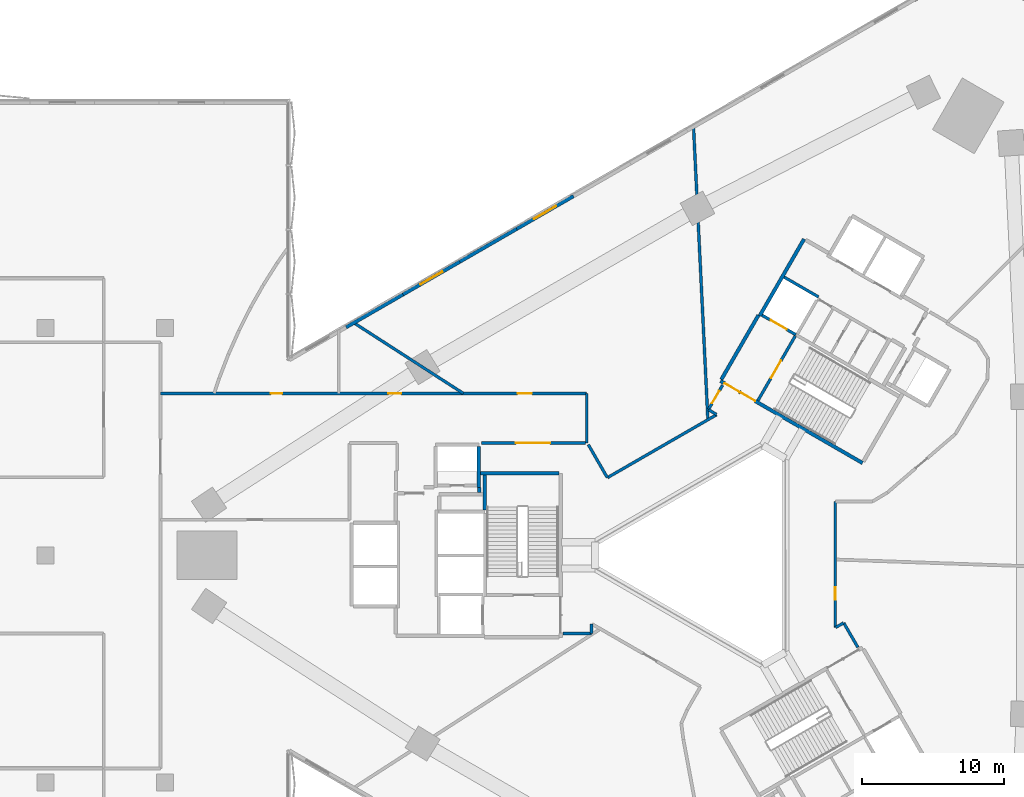
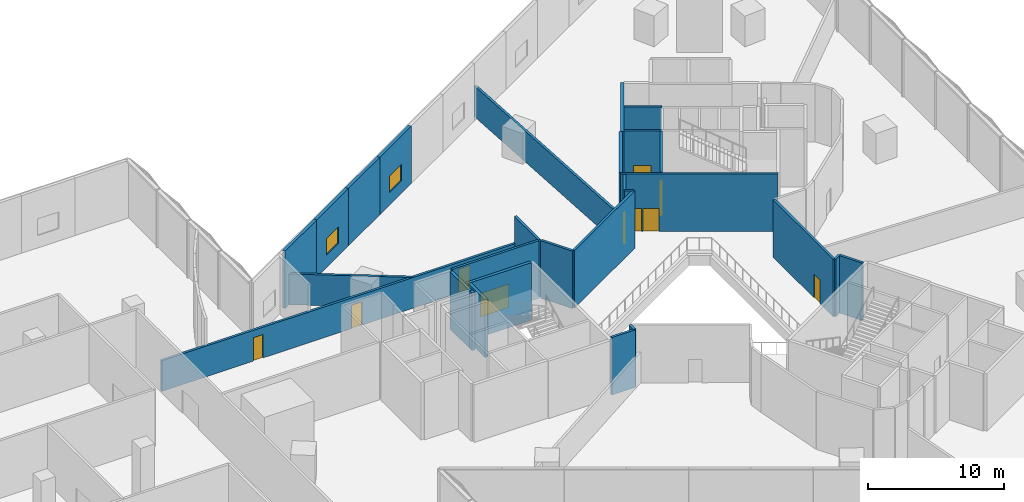
# One storey, part 16 of 31: 28 walls, 10 doors, 2 windows, 12 openings.
"""IFC4 building model written with IfcOpenShell, lengths in metres."""

from ifc_helpers import new_model, si_unit, direction, frame, frame_2d, origin, place, context, subcontext, project, spatial, rectangle, extrude, material, layer, layer_set, type_object, element, fill, save


model = new_model("IFC4")

# Units and contexts
model_context = context("Model", 3, precision=1e-05, world=origin(), true_north=direction((0.0, 1.0)))
body_context = subcontext(model_context, "Body", "Model", "MODEL_VIEW")
ifc_project = project(units=[si_unit("LENGTHUNIT", "METRE"), si_unit("AREAUNIT", "SQUARE_METRE"), si_unit("VOLUMEUNIT", "CUBIC_METRE"), si_unit("PLANEANGLEUNIT", "RADIAN"), si_unit("MASSUNIT", "GRAM", prefix="KILO")], contexts=[model_context])

# Site, building, storey
site_placement = place(None, origin())
site = spatial("IfcSite", under=ifc_project, at=site_placement, CompositionType="ELEMENT")
building_placement = place(site_placement, origin())
building = spatial("IfcBuilding", under=site, at=building_placement, Name="Tamra Quay Hotel Tower", CompositionType="ELEMENT")
storey_placement = place(building_placement, frame((0.0, 0.0, 14.0)))
storey = spatial("IfcBuildingStorey", under=building, at=storey_placement, Name="L02", CompositionType="ELEMENT", Elevation=14.0)

# Wall, opening, door
ifc_material_1 = material(Name="Concrete M70", Category="concrete")
ifc_layer_1 = layer(ifc_material_1, 0.199951171875)
ifc_layer_set_1 = layer_set([ifc_layer_1], Name="Concrete M70 core wall 200")
wall_type_1 = type_object("IfcWallType", Name="Concrete M70 core wall 200", PredefinedType="SHEAR", material=ifc_layer_set_1)
wall_1_placement = place(storey_placement, frame((3.056640625, 10.89453125, 0.0), z_axis=(0.0, 0.0, 1.0), x_axis=(0.499989418164, 0.866031513124, 0.0)))
wall_1 = element("IfcWall", 1, at=wall_1_placement, inside=storey, type_object=wall_type_1, Name="CW2", PredefinedType="SHEAR", context=body_context, shape_type="SweptSolid", body=[
    extrude(rectangle(XDim=5.2509765625, YDim=0.199951171875, at=frame_2d((2.62548828125, 0.0))), origin(), (0.0, 0.0, 1.0), 5.14990234375),
])
opening_1_placement = place(wall_1_placement, frame((1.84912109375, 0.0, 0.0)))
opening_1 = element("IfcOpeningElement", 2, at=opening_1_placement, cuts=wall_1, Name="Opening FD2", PredefinedType="OPENING", context=body_context, shape_type="SweptSolid", body=[
    extrude(rectangle(XDim=1.39990234375, YDim=2.10009765625, at=frame_2d((0.699951171875, 1.050048828125))), frame((0.0, 0.10986328125, 0.0), z_axis=(0.0, -1.0, 0.0), x_axis=(1.0, 0.0, 0.0)), (0.0, 0.0, 1.0), 0.219970703125),
])
ifc_material_2 = material(Name="Core door FD2 1400x2100 LH")
door_type_1 = type_object("IfcDoorType", Name="Core door FD2 1400x2100 LH", OperationType="NOTDEFINED", PredefinedType="DOOR", material=ifc_material_2)
door_1_placement = place(opening_1_placement, origin())
door_1 = element("IfcDoor", 3, at=door_1_placement, inside=storey, type_object=door_type_1, Name="FD2", OperationType="SINGLE_SWING_LEFT", OverallHeight=2.10009765625, OverallWidth=1.39990234375, PredefinedType="DOOR", context=body_context, shape_type="SweptSolid", body=[
    extrude(rectangle(XDim=1.39990234375, YDim=2.10009765625, at=frame_2d((0.699951171875, 1.050048828125))), frame((0.0, 0.02490234375, 0.0), z_axis=(0.0, -1.0, 0.0), x_axis=(1.0, 0.0, 0.0)), (0.0, 0.0, 1.0), 0.050048828125),
])
fill(opening_1, door_1)

wall_2_placement = place(storey_placement, frame((5.72509765625, 15.530517578125, 0.0), z_axis=(0.0, 0.0, 1.0), x_axis=(-0.866037306777, 0.499979382845, 0.0)))
wall_2 = element("IfcWall", 4, at=wall_2_placement, inside=storey, type_object=wall_type_1, Name="CW2", PredefinedType="SHEAR", context=body_context, shape_type="SweptSolid", body=[
    extrude(rectangle(XDim=2.74169921875, YDim=0.199951171875, at=frame_2d((1.370849609375, 0.0))), origin(), (0.0, 0.0, 1.0), 5.14990234375),
])
opening_2_placement = place(wall_2_placement, frame((0.742919921875, 0.0, 0.0)))
opening_2 = element("IfcOpeningElement", 5, at=opening_2_placement, cuts=wall_2, Name="Opening LD", PredefinedType="OPENING", context=body_context, shape_type="SweptSolid", body=[
    extrude(rectangle(XDim=1.300048828125, YDim=2.10009765625, at=frame_2d((0.64990234375, 1.050048828125))), frame((0.0, 0.10986328125, 0.0), z_axis=(0.0, -1.0, 0.0), x_axis=(1.0, 0.0, 0.0)), (0.0, 0.0, 1.0), 0.219970703125),
])
ifc_material_3 = material(Name="Landing door LD 1300 sliding to left")
door_type_2 = type_object("IfcDoorType", Name="Landing door LD 1300 sliding to left", OperationType="NOTDEFINED", PredefinedType="DOOR", material=ifc_material_3)
door_2_placement = place(opening_2_placement, origin())
door_2 = element("IfcDoor", 6, at=door_2_placement, inside=storey, type_object=door_type_2, Name="LD", OperationType="SLIDING_TO_LEFT", OverallHeight=2.10009765625, OverallWidth=1.300048828125, PredefinedType="DOOR", context=body_context, shape_type="SweptSolid", body=[
    extrude(rectangle(XDim=1.300048828125, YDim=2.10009765625, at=frame_2d((0.64990234375, 1.050048828125))), frame((0.0, 0.02490234375, 0.0), z_axis=(0.0, -1.0, 0.0), x_axis=(1.0, 0.0, 0.0)), (0.0, 0.0, 1.0), 0.050048828125),
])
fill(opening_2, door_2)

# Walls
wall_3_placement = place(storey_placement, frame((4.900634765625, 19.5859375, 0.0), z_axis=(0.0, 0.0, 1.0), x_axis=(0.866022890907, -0.500004352405, 0.0)))
element("IfcWall", 7, at=wall_3_placement, inside=storey, type_object=wall_type_1, Name="CW2", PredefinedType="SHEAR", context=body_context, shape_type="SweptSolid", body=[
    extrude(rectangle(XDim=2.798828125, YDim=0.199951171875, at=frame_2d((1.3994140625, 0.0))), origin(), (0.0, 0.0, 1.0), 5.14990234375),
])
ifc_layer_2 = layer(ifc_material_1, 0.25)
ifc_layer_set_2 = layer_set([ifc_layer_2], Name="Concrete M70 core wall 250")
wall_type_2 = type_object("IfcWallType", Name="Concrete M70 core wall 250", PredefinedType="SHEAR", material=ifc_layer_set_2)
wall_4_placement = place(storey_placement, frame((-16.47216796875, 5.77490234375, 0.0), z_axis=(0.0, 0.0, 1.0), x_axis=(1.0, 0.0, 0.0)))
element("IfcWall", 8, at=wall_4_placement, inside=storey, type_object=wall_type_2, Name="CW1", PredefinedType="SHEAR", context=body_context, shape_type="SweptSolid", body=[
    extrude(rectangle(XDim=5.509521484375, YDim=0.25, at=frame_2d((2.7548828125, 0.0))), origin(), (0.0, 0.0, 1.0), 5.14990234375),
])
wall_5_placement = place(storey_placement, frame((-16.58740234375, 7.649658203125, 0.0), z_axis=(0.0, 0.0, 1.0), x_axis=(0.0, -1.0, 0.0)))
element("IfcWall", 9, at=wall_5_placement, inside=storey, type_object=wall_type_2, Name="CW1", PredefinedType="SHEAR", context=body_context, shape_type="SweptSolid", body=[
    extrude(rectangle(XDim=2.86474609375, YDim=0.25, at=frame_2d((1.432373046875, 0.0))), origin(), (0.0, 0.0, 1.0), 5.14990234375),
])
wall_6_placement = place(storey_placement, frame((-16.187255859375, 3.200439453125, 0.0), z_axis=(0.0, 0.0, 1.0), x_axis=(0.0, 1.0, 0.0)))
element("IfcWall", 10, at=wall_6_placement, inside=storey, type_object=wall_type_2, Name="CW1", PredefinedType="SHEAR", context=body_context, shape_type="SweptSolid", body=[
    extrude(rectangle(XDim=2.44921875, YDim=0.25, at=frame_2d((1.224609375, 0.0))), origin(), (0.0, 0.0, 1.0), 5.14990234375),
])
wall_7_placement = place(storey_placement, frame((-16.577392578125, 4.784912109375, 0.0), z_axis=(0.0, 0.0, 1.0), x_axis=(0.0, -1.0, 0.0)))
element("IfcWall", 11, at=wall_7_placement, inside=storey, type_object=wall_type_2, Name="CW1", PredefinedType="SHEAR", context=body_context, shape_type="SweptSolid", body=[
    extrude(rectangle(XDim=0.344482421875, YDim=0.25, at=frame_2d((0.17236328125, 0.0))), origin(), (0.0, 0.0, 1.0), 5.14990234375),
])

# Wall, openings, doors
wall_8_placement = place(storey_placement, frame((10.419921875, 6.497802734375, 0.0), z_axis=(0.0, 0.0, 1.0), x_axis=(-0.866021906294, 0.500006057782, 0.0)))
wall_8 = element("IfcWall", 12, at=wall_8_placement, inside=storey, type_object=wall_type_2, Name="CW1", PredefinedType="SHEAR", context=body_context, shape_type="SweptSolid", body=[
    extrude(rectangle(XDim=11.550048828125, YDim=0.25, at=frame_2d((5.77490234375, 0.0))), origin(), (0.0, 0.0, 1.0), 5.14990234375),
])
opening_3_placement = place(wall_8_placement, frame((10.02490234375, 0.0, 0.0)))
opening_3 = element("IfcOpeningElement", 13, at=opening_3_placement, cuts=wall_8, Name="Opening FD1", PredefinedType="OPENING", context=body_context, shape_type="SweptSolid", body=[
    extrude(rectangle(XDim=1.199951171875, YDim=2.10009765625, at=frame_2d((0.60009765625, 1.050048828125))), frame((0.0, 0.135009765625, 0.0), z_axis=(0.0, -1.0, 0.0), x_axis=(1.0, 0.0, 0.0)), (0.0, 0.0, 1.0), 0.27001953125),
])
opening_4_placement = place(wall_8_placement, frame((8.724853515625, 0.0, 0.0)))
opening_4 = element("IfcOpeningElement", 14, at=opening_4_placement, cuts=wall_8, Name="Opening FD1", PredefinedType="OPENING", context=body_context, shape_type="SweptSolid", body=[
    extrude(rectangle(XDim=1.199951171875, YDim=2.10009765625, at=frame_2d((0.60009765625, 1.050048828125))), frame((0.0, 0.135009765625, 0.0), z_axis=(0.0, -1.0, 0.0), x_axis=(1.0, 0.0, 0.0)), (0.0, 0.0, 1.0), 0.27001953125),
])
ifc_material_4 = material(Name="Core door FD1 1200x2100 LH")
door_type_3 = type_object("IfcDoorType", Name="Core door FD1 1200x2100 LH", OperationType="NOTDEFINED", PredefinedType="DOOR", material=ifc_material_4)
door_3_placement = place(opening_3_placement, origin())
door_3 = element("IfcDoor", 15, at=door_3_placement, inside=storey, type_object=door_type_3, Name="FD1", OperationType="SINGLE_SWING_LEFT", OverallHeight=2.10009765625, OverallWidth=1.199951171875, PredefinedType="DOOR", context=body_context, shape_type="SweptSolid", body=[
    extrude(rectangle(XDim=1.199951171875, YDim=2.10009765625, at=frame_2d((0.60009765625, 1.050048828125))), frame((0.0, 0.02490234375, 0.0), z_axis=(0.0, -1.0, 0.0), x_axis=(1.0, 0.0, 0.0)), (0.0, 0.0, 1.0), 0.050048828125),
])
fill(opening_3, door_3)
ifc_material_5 = material(Name="Core door FD1 1200x2100 RH")
door_type_4 = type_object("IfcDoorType", Name="Core door FD1 1200x2100 RH", OperationType="NOTDEFINED", PredefinedType="DOOR", material=ifc_material_5)
door_4_placement = place(opening_4_placement, origin())
door_4 = element("IfcDoor", 16, at=door_4_placement, inside=storey, type_object=door_type_4, Name="FD1", OperationType="SINGLE_SWING_RIGHT", OverallHeight=2.10009765625, OverallWidth=1.199951171875, PredefinedType="DOOR", context=body_context, shape_type="SweptSolid", body=[
    extrude(rectangle(XDim=1.199951171875, YDim=2.10009765625, at=frame_2d((0.60009765625, 1.050048828125))), frame((0.0, 0.02490234375, 0.0), z_axis=(0.0, -1.0, 0.0), x_axis=(1.0, 0.0, 0.0)), (0.0, 0.0, 1.0), 0.050048828125),
])
fill(opening_4, door_4)

# Walls
wall_9_placement = place(storey_placement, frame((3.178955078125, 16.856201171875, 0.0), z_axis=(0.0, 0.0, 1.0), x_axis=(0.500004234368, 0.866022959057, 0.0)))
element("IfcWall", 17, at=wall_9_placement, inside=storey, type_object=wall_type_2, Name="CW1", PredefinedType="SHEAR", context=body_context, shape_type="SweptSolid", body=[
    extrude(rectangle(XDim=6.25, YDim=0.25, at=frame_2d((3.125, 0.0))), origin(), (0.0, 0.0, 1.0), 5.14990234375),
])
wall_10_placement = place(storey_placement, frame((0.47998046875, 12.38134765625, 0.0), z_axis=(0.0, 0.0, 1.0), x_axis=(0.49999885962, 0.866026062182, 0.0)))
element("IfcWall", 18, at=wall_10_placement, inside=storey, type_object=wall_type_2, Name="CW1", PredefinedType="SHEAR", context=body_context, shape_type="SweptSolid", body=[
    extrude(rectangle(XDim=5.224609375, YDim=0.25, at=frame_2d((2.6123046875, 0.0))), origin(), (0.0, 0.0, 1.0), 5.14990234375),
])

# Wall, opening, window
ifc_material_6 = material(Name="Blockwork masonry plastered", Category="masonry")
ifc_layer_3 = layer(ifc_material_6, 0.25)
ifc_layer_set_3 = layer_set([ifc_layer_3], Name="EXTERNAL WALL 250")
wall_type_3 = type_object("IfcWallType", Name="EXTERNAL WALL 250", PredefinedType="SOLIDWALL", material=ifc_layer_set_3)
wall_11_placement = place(storey_placement, frame((-13.930419921875, 22.981689453125, 0.0), z_axis=(0.0, 0.0, 1.0), x_axis=(0.866216377649, 0.499669077583, 0.0)))
wall_11 = element("IfcWall", 19, at=wall_11_placement, inside=storey, type_object=wall_type_3, Name="EW1", PredefinedType="SOLIDWALL", context=body_context, shape_type="SweptSolid", body=[
    extrude(rectangle(XDim=4.619873046875, YDim=0.25, at=frame_2d((2.31005859375, 0.0))), origin(), (0.0, 0.0, 1.0), 5.14990234375),
])
opening_5_placement = place(wall_11_placement, frame((1.409912109375, 0.0, 1.10009765625)))
opening_5 = element("IfcOpeningElement", 20, at=opening_5_placement, cuts=wall_11, Name="Opening PW2", PredefinedType="OPENING", context=body_context, shape_type="SweptSolid", body=[
    extrude(rectangle(XDim=1.800048828125, YDim=1.5, at=frame_2d((0.89990234375, 0.75))), frame((0.0, 0.135009765625, 0.0), z_axis=(0.0, -1.0, 0.0), x_axis=(1.0, 0.0, 0.0)), (0.0, 0.0, 1.0), 0.27001953125),
])
ifc_material_7 = material(Name="Aluminium window with clear glass", Category="aluminium")
window_type = type_object("IfcWindowType", Name="PODIUM WINDOW 1800X1500", PartitioningType="DOUBLE_PANEL_VERTICAL", PredefinedType="WINDOW", material=ifc_material_7)
window_1_placement = place(opening_5_placement, origin())
window_1 = element("IfcWindow", 21, at=window_1_placement, inside=storey, type_object=window_type, Name="PW2", OverallHeight=1.5, OverallWidth=1.800048828125, PartitioningType="SINGLE_PANEL", PredefinedType="WINDOW", context=body_context, shape_type="SweptSolid", body=[
    extrude(rectangle(XDim=1.800048828125, YDim=1.5, at=frame_2d((0.89990234375, 0.75))), frame((0.0, 0.030029296875, 0.0), z_axis=(0.0, -1.0, 0.0), x_axis=(1.0, 0.0, 0.0)), (0.0, 0.0, 1.0), 0.06005859375),
])
fill(opening_5, window_1)

# Wall
wall_12_placement = place(storey_placement, frame((-17.93212890625, 20.67333984375, 0.0), z_axis=(0.0, 0.0, 1.0), x_axis=(0.866216377649, 0.499669077583, 0.0)))
element("IfcWall", 22, at=wall_12_placement, inside=storey, type_object=wall_type_3, Name="EW1", PredefinedType="SOLIDWALL", context=body_context, shape_type="SweptSolid", body=[
    extrude(rectangle(XDim=4.619873046875, YDim=0.25, at=frame_2d((2.31005859375, 0.0))), origin(), (0.0, 0.0, 1.0), 5.14990234375),
])

# Wall, opening, window
wall_13_placement = place(storey_placement, frame((-21.93408203125, 18.364990234375, 0.0), z_axis=(0.0, 0.0, 1.0), x_axis=(0.866229571029, 0.499646205105, 0.0)))
wall_13 = element("IfcWall", 23, at=wall_13_placement, inside=storey, type_object=wall_type_3, Name="EW1", PredefinedType="SOLIDWALL", context=body_context, shape_type="SweptSolid", body=[
    extrude(rectangle(XDim=4.619873046875, YDim=0.25, at=frame_2d((2.31005859375, 0.0))), origin(), (0.0, 0.0, 1.0), 5.14990234375),
])
opening_6_placement = place(wall_13_placement, frame((1.409912109375, 0.0, 1.10009765625)))
opening_6 = element("IfcOpeningElement", 24, at=opening_6_placement, cuts=wall_13, Name="Opening PW2", PredefinedType="OPENING", context=body_context, shape_type="SweptSolid", body=[
    extrude(rectangle(XDim=1.800048828125, YDim=1.5, at=frame_2d((0.89990234375, 0.75))), frame((0.0, 0.135009765625, 0.0), z_axis=(0.0, -1.0, 0.0), x_axis=(1.0, 0.0, 0.0)), (0.0, 0.0, 1.0), 0.27001953125),
])
window_2_placement = place(opening_6_placement, origin())
window_2 = element("IfcWindow", 25, at=window_2_placement, inside=storey, type_object=window_type, Name="PW2", OverallHeight=1.5, OverallWidth=1.800048828125, PartitioningType="SINGLE_PANEL", PredefinedType="WINDOW", context=body_context, shape_type="SweptSolid", body=[
    extrude(rectangle(XDim=1.800048828125, YDim=1.5, at=frame_2d((0.89990234375, 0.75))), frame((0.0, 0.030029296875, 0.0), z_axis=(0.0, -1.0, 0.0), x_axis=(1.0, 0.0, 0.0)), (0.0, 0.0, 1.0), 0.06005859375),
])
fill(opening_6, window_2)

# Wall
wall_14_placement = place(storey_placement, frame((-25.935791015625, 16.056640625, 0.0), z_axis=(0.0, 0.0, 1.0), x_axis=(0.866216377649, 0.499669077583, 0.0)))
element("IfcWall", 26, at=wall_14_placement, inside=storey, type_object=wall_type_3, Name="EW1", PredefinedType="SOLIDWALL", context=body_context, shape_type="SweptSolid", body=[
    extrude(rectangle(XDim=4.619873046875, YDim=0.25, at=frame_2d((2.31005859375, 0.0))), origin(), (0.0, 0.0, 1.0), 5.14990234375),
])

# Wall, opening, door
ifc_material_8 = material(Name="Partition corridor wall")
ifc_layer_4 = layer(ifc_material_8, 0.199951171875)
ifc_layer_set_4 = layer_set([ifc_layer_4], Name="Partition corridor wall")
wall_type_4 = type_object("IfcWallType", Name="Partition corridor wall", PredefinedType="PARTITIONING", material=ifc_layer_set_4)
wall_15_placement = place(storey_placement, frame((-16.40234375, 7.89990234375, 0.0), z_axis=(0.0, 0.0, 1.0), x_axis=(1.0, 0.0, 0.0)))
wall_15 = element("IfcWall", 27, at=wall_15_placement, inside=storey, type_object=wall_type_4, Name="W-C", PredefinedType="PARTITIONING", context=body_context, shape_type="SweptSolid", body=[
    extrude(rectangle(XDim=7.304443359375, YDim=0.199951171875, at=frame_2d((3.65234375, 0.0))), origin(), (0.0, 0.0, 1.0), 5.14990234375),
])
opening_7_placement = place(wall_15_placement, frame((2.42236328125, 0.0, 0.0)))
opening_7 = element("IfcOpeningElement", 28, at=opening_7_placement, cuts=wall_15, Name="Opening L02-D013", PredefinedType="OPENING", context=body_context, shape_type="SweptSolid", body=[
    extrude(rectangle(XDim=2.39990234375, YDim=2.10009765625, at=frame_2d((1.199951171875, 1.050048828125))), frame((0.0, 0.10986328125, 0.0), z_axis=(0.0, -1.0, 0.0), x_axis=(1.0, 0.0, 0.0)), (0.0, 0.0, 1.0), 0.219970703125),
])
ifc_material_9 = material(Name="Door double leaf 2400x2100")
door_type_5 = type_object("IfcDoorType", Name="Door double leaf 2400x2100", OperationType="DOUBLE_DOOR_SINGLE_SWING", PredefinedType="DOOR", material=ifc_material_9)
door_5_placement = place(opening_7_placement, frame((2.39990234375, 0.0, 0.0), z_axis=(0.0, 0.0, 1.0), x_axis=(-1.0, 0.0, 0.0)))
door_5 = element("IfcDoor", 29, at=door_5_placement, inside=storey, type_object=door_type_5, Name="L02-D013", OperationType="DOUBLE_DOOR_SINGLE_SWING", OverallHeight=2.10009765625, OverallWidth=2.39990234375, PredefinedType="DOOR", context=body_context, shape_type="SweptSolid", body=[
    extrude(rectangle(XDim=2.39990234375, YDim=2.10009765625, at=frame_2d((1.199951171875, 1.050048828125))), frame((0.0, 0.02490234375, 0.0), z_axis=(0.0, -1.0, 0.0), x_axis=(1.0, 0.0, 0.0)), (0.0, 0.0, 1.0), 0.050048828125),
])
fill(opening_7, door_5)

# Walls
wall_16_placement = place(storey_placement, frame((-10.65234375, -5.5, 0.0), z_axis=(0.0, 0.0, 1.0), x_axis=(1.0, 0.0, 0.0)))
element("IfcWall", 30, at=wall_16_placement, inside=storey, type_object=wall_type_4, Name="W-C", PredefinedType="PARTITIONING", context=body_context, shape_type="SweptSolid", body=[
    extrude(rectangle(XDim=1.9892578125, YDim=0.199951171875, at=frame_2d((0.99462890625, 0.0))), origin(), (0.0, 0.0, 1.0), 5.14990234375),
])
wall_17_placement = place(storey_placement, frame((-8.886962890625, 7.7958984375, 0.0), z_axis=(0.0, 0.0, 1.0), x_axis=(0.499310200174, -0.866423293779, 0.0)))
element("IfcWall", 31, at=wall_17_placement, inside=storey, type_object=wall_type_4, Name="W-C", PredefinedType="PARTITIONING", context=body_context, shape_type="SweptSolid", body=[
    extrude(rectangle(XDim=2.683349609375, YDim=0.199951171875, at=frame_2d((1.341796875, 0.0))), origin(), (0.0, 0.0, 1.0), 5.14990234375),
])
wall_18_placement = place(storey_placement, frame((-8.662109375, -5.4990234375, 0.0), z_axis=(0.0, 0.0, 1.0), x_axis=(0.0, 1.0, 0.0)))
element("IfcWall", 32, at=wall_18_placement, inside=storey, type_object=wall_type_4, Name="W-C", PredefinedType="PARTITIONING", context=body_context, shape_type="SweptSolid", body=[
    extrude(rectangle(XDim=0.6650390625, YDim=0.199951171875, at=frame_2d((0.33251953125, 0.0))), origin(), (0.0, 0.0, 1.0), 5.14990234375),
])
wall_19_placement = place(storey_placement, frame((-7.52978515625, 5.472900390625, 0.0), z_axis=(0.0, 0.0, 1.0), x_axis=(0.866256262405, 0.499599927786, 0.0)))
element("IfcWall", 33, at=wall_19_placement, inside=storey, type_object=wall_type_4, Name="W-C", PredefinedType="PARTITIONING", context=body_context, shape_type="SweptSolid", body=[
    extrude(rectangle(XDim=8.855224609375, YDim=0.199951171875, at=frame_2d((4.427734375, 0.0))), origin(), (0.0, 0.0, 1.0), 5.14990234375),
])

# Wall, opening, door
wall_20_placement = place(storey_placement, frame((-0.429931640625, 10.259033203125, 0.0), z_axis=(0.0, 0.0, 1.0), x_axis=(0.500667330647, 0.865639777288, 0.0)))
wall_20 = element("IfcWall", 34, at=wall_20_placement, inside=storey, type_object=wall_type_4, Name="W-C", PredefinedType="PARTITIONING", context=body_context, shape_type="SweptSolid", body=[
    extrude(rectangle(XDim=1.982666015625, YDim=0.199951171875, at=frame_2d((0.9912109375, 0.0))), origin(), (0.0, 0.0, 1.0), 5.14990234375),
])
opening_8_placement = place(wall_20_placement, frame((0.515380859375, 0.0, 0.0)))
opening_8 = element("IfcOpeningElement", 35, at=opening_8_placement, cuts=wall_20, Name="Opening L02-D015", PredefinedType="OPENING", context=body_context, shape_type="SweptSolid", body=[
    extrude(rectangle(XDim=1.0, YDim=2.10009765625, at=frame_2d((0.5, 1.050048828125))), frame((0.0, 0.10986328125, 0.0), z_axis=(0.0, -1.0, 0.0), x_axis=(1.0, 0.0, 0.0)), (0.0, 0.0, 1.0), 0.219970703125),
])
ifc_material_10 = material(Name="Door guest room 1000x2100")
door_type_6 = type_object("IfcDoorType", Name="Door guest room 1000x2100", OperationType="NOTDEFINED", PredefinedType="DOOR", material=ifc_material_10)
door_6_placement = place(opening_8_placement, frame((1.0, 0.0, 0.0), z_axis=(0.0, 0.0, 1.0), x_axis=(-1.0, 0.0, 0.0)))
door_6 = element("IfcDoor", 36, at=door_6_placement, inside=storey, type_object=door_type_6, Name="L02-D015", OperationType="SINGLE_SWING_LEFT", OverallHeight=2.10009765625, OverallWidth=1.0, PredefinedType="DOOR", context=body_context, shape_type="SweptSolid", body=[
    extrude(rectangle(XDim=1.0, YDim=2.10009765625, at=frame_2d((0.5, 1.050048828125))), frame((0.0, 0.02490234375, 0.0), z_axis=(0.0, -1.0, 0.0), x_axis=(1.0, 0.0, 0.0)), (0.0, 0.0, 1.0), 0.050048828125),
])
fill(opening_8, door_6)

# Wall
wall_21_placement = place(storey_placement, frame((-0.424072265625, 10.24609375, 0.0), z_axis=(0.0, 0.0, 1.0), x_axis=(0.866360968405, -0.499418334089, 0.0)))
element("IfcWall", 37, at=wall_21_placement, inside=storey, type_object=wall_type_4, Name="W-C", PredefinedType="PARTITIONING", context=body_context, shape_type="SweptSolid", body=[
    extrude(rectangle(XDim=0.648681640625, YDim=0.199951171875, at=frame_2d((0.32421875, 0.0))), origin(), (0.0, 0.0, 1.0), 5.14990234375),
])

# Wall, opening, door
wall_22_placement = place(storey_placement, frame((8.5, -5.074951171875, 0.0), z_axis=(0.0, 0.0, 1.0), x_axis=(0.0, 1.0, 0.0)))
wall_22 = element("IfcWall", 38, at=wall_22_placement, inside=storey, type_object=wall_type_4, Name="W-C", PredefinedType="PARTITIONING", context=body_context, shape_type="SweptSolid", body=[
    extrude(rectangle(XDim=8.85888671875, YDim=0.199951171875, at=frame_2d((4.429443359375, 0.0))), origin(), (0.0, 0.0, 1.0), 5.14990234375),
])
opening_9_placement = place(wall_22_placement, frame((1.945068359375, 0.0, 0.0)))
opening_9 = element("IfcOpeningElement", 39, at=opening_9_placement, cuts=wall_22, Name="Opening L02-D020", PredefinedType="OPENING", context=body_context, shape_type="SweptSolid", body=[
    extrude(rectangle(XDim=0.89990234375, YDim=2.10009765625, at=frame_2d((0.449951171875, 1.050048828125))), frame((0.0, 0.10986328125, 0.0), z_axis=(0.0, -1.0, 0.0), x_axis=(1.0, 0.0, 0.0)), (0.0, 0.0, 1.0), 0.219970703125),
])
ifc_material_11 = material(Name="Door service room 900x2100")
door_type_7 = type_object("IfcDoorType", Name="Door service room 900x2100", OperationType="NOTDEFINED", PredefinedType="DOOR", material=ifc_material_11)
door_7_placement = place(opening_9_placement, frame((0.89990234375, 0.0, 0.0), z_axis=(0.0, 0.0, 1.0), x_axis=(-1.0, 0.0, 0.0)))
door_7 = element("IfcDoor", 40, at=door_7_placement, inside=storey, type_object=door_type_7, Name="L02-D020", OperationType="SINGLE_SWING_LEFT", OverallHeight=2.10009765625, OverallWidth=0.89990234375, PredefinedType="DOOR", context=body_context, shape_type="SweptSolid", body=[
    extrude(rectangle(XDim=0.89990234375, YDim=2.10009765625, at=frame_2d((0.449951171875, 1.050048828125))), frame((0.0, 0.02490234375, 0.0), z_axis=(0.0, -1.0, 0.0), x_axis=(1.0, 0.0, 0.0)), (0.0, 0.0, 1.0), 0.050048828125),
])
fill(opening_9, door_7)

# Walls
wall_23_placement = place(storey_placement, frame((8.52490234375, -5.080078125, 0.0), z_axis=(0.0, 0.0, 1.0), x_axis=(0.864894186075, 0.501954227887, 0.0)))
element("IfcWall", 41, at=wall_23_placement, inside=storey, type_object=wall_type_4, Name="W-C", PredefinedType="PARTITIONING", context=body_context, shape_type="SweptSolid", body=[
    extrude(rectangle(XDim=0.64990234375, YDim=0.199951171875, at=frame_2d((0.324951171875, 0.0))), origin(), (0.0, 0.0, 1.0), 5.14990234375),
])
wall_24_placement = place(storey_placement, frame((9.10107421875, -4.762939453125, 0.0), z_axis=(0.0, 0.0, 1.0), x_axis=(0.500150029396, -0.865938766944, 0.0)))
element("IfcWall", 42, at=wall_24_placement, inside=storey, type_object=wall_type_4, Name="W-C", PredefinedType="PARTITIONING", context=body_context, shape_type="SweptSolid", body=[
    extrude(rectangle(XDim=1.97705078125, YDim=0.199951171875, at=frame_2d((0.988525390625, 0.0))), origin(), (0.0, 0.0, 1.0), 5.14990234375),
])

# Wall, openings, doors
ifc_material_12 = material(Name="Partition party wall")
ifc_layer_5 = layer(ifc_material_12, 0.199951171875)
ifc_layer_set_5 = layer_set([ifc_layer_5], Name="Partition party wall")
wall_type_5 = type_object("IfcWallType", Name="Partition party wall", PredefinedType="PARTITIONING", material=ifc_layer_set_5)
wall_25_placement = place(storey_placement, frame((-38.998046875, 11.40087890625, 0.0), z_axis=(0.0, 0.0, 1.0), x_axis=(1.0, 0.0, 0.0)))
wall_25 = element("IfcWall", 43, at=wall_25_placement, inside=storey, type_object=wall_type_5, Name="W-P", PredefinedType="PARTITIONING", context=body_context, shape_type="SweptSolid", body=[
    extrude(rectangle(XDim=29.9951171875, YDim=0.199951171875, at=frame_2d((14.99755859375, 0.0))), origin(), (0.0, 0.0, 1.0), 2.75),
])
opening_10_placement = place(wall_25_placement, frame((25.14306640625, 0.0, 0.0)))
opening_10 = element("IfcOpeningElement", 44, at=opening_10_placement, cuts=wall_25, Name="Opening L02-D016", PredefinedType="OPENING", context=body_context, shape_type="SweptSolid", body=[
    extrude(rectangle(XDim=1.0, YDim=2.10009765625, at=frame_2d((0.5, 1.050048828125))), frame((0.0, 0.10986328125, 0.0), z_axis=(0.0, -1.0, 0.0), x_axis=(1.0, 0.0, 0.0)), (0.0, 0.0, 1.0), 0.219970703125),
])
opening_11_placement = place(wall_25_placement, frame((7.760009765625, 0.0, 0.0)))
opening_11 = element("IfcOpeningElement", 45, at=opening_11_placement, cuts=wall_25, Name="Opening L02-D017", PredefinedType="OPENING", context=body_context, shape_type="SweptSolid", body=[
    extrude(rectangle(XDim=0.800048828125, YDim=2.10009765625, at=frame_2d((0.39990234375, 1.050048828125))), frame((0.0, 0.10986328125, 0.0), z_axis=(0.0, -1.0, 0.0), x_axis=(1.0, 0.0, 0.0)), (0.0, 0.0, 1.0), 0.219970703125),
])
opening_12_placement = place(wall_25_placement, frame((16.0341796875, 0.0, 0.0)))
opening_12 = element("IfcOpeningElement", 46, at=opening_12_placement, cuts=wall_25, Name="Opening L02-D021", PredefinedType="OPENING", context=body_context, shape_type="SweptSolid", body=[
    extrude(rectangle(XDim=0.89990234375, YDim=2.10009765625, at=frame_2d((0.449951171875, 1.050048828125))), frame((0.0, 0.10986328125, 0.0), z_axis=(0.0, -1.0, 0.0), x_axis=(1.0, 0.0, 0.0)), (0.0, 0.0, 1.0), 0.219970703125),
])
door_8_placement = place(opening_10_placement, origin())
door_8 = element("IfcDoor", 47, at=door_8_placement, inside=storey, type_object=door_type_6, Name="L02-D016", OperationType="SINGLE_SWING_LEFT", OverallHeight=2.10009765625, OverallWidth=1.0, PredefinedType="DOOR", context=body_context, shape_type="SweptSolid", body=[
    extrude(rectangle(XDim=1.0, YDim=2.10009765625, at=frame_2d((0.5, 1.050048828125))), frame((0.0, 0.02490234375, 0.0), z_axis=(0.0, -1.0, 0.0), x_axis=(1.0, 0.0, 0.0)), (0.0, 0.0, 1.0), 0.050048828125),
])
fill(opening_10, door_8)
ifc_material_13 = material(Name="Door service room 800x2100")
door_type_8 = type_object("IfcDoorType", Name="Door service room 800x2100", OperationType="NOTDEFINED", PredefinedType="DOOR", material=ifc_material_13)
door_9_placement = place(opening_11_placement, origin())
door_9 = element("IfcDoor", 48, at=door_9_placement, inside=storey, type_object=door_type_8, Name="L02-D017", OperationType="SINGLE_SWING_LEFT", OverallHeight=2.10009765625, OverallWidth=0.800048828125, PredefinedType="DOOR", context=body_context, shape_type="SweptSolid", body=[
    extrude(rectangle(XDim=0.800048828125, YDim=2.10009765625, at=frame_2d((0.39990234375, 1.050048828125))), frame((0.0, 0.02490234375, 0.0), z_axis=(0.0, -1.0, 0.0), x_axis=(1.0, 0.0, 0.0)), (0.0, 0.0, 1.0), 0.050048828125),
])
fill(opening_11, door_9)
door_10_placement = place(opening_12_placement, origin())
door_10 = element("IfcDoor", 49, at=door_10_placement, inside=storey, type_object=door_type_7, Name="L02-D021", OperationType="SINGLE_SWING_LEFT", OverallHeight=2.10009765625, OverallWidth=0.89990234375, PredefinedType="DOOR", context=body_context, shape_type="SweptSolid", body=[
    extrude(rectangle(XDim=0.89990234375, YDim=2.10009765625, at=frame_2d((0.449951171875, 1.050048828125))), frame((0.0, 0.02490234375, 0.0), z_axis=(0.0, -1.0, 0.0), x_axis=(1.0, 0.0, 0.0)), (0.0, 0.0, 1.0), 0.050048828125),
])
fill(opening_12, door_10)

# Walls
wall_26_placement = place(storey_placement, frame((-25.509033203125, 16.444091796875, 0.0), z_axis=(0.0, 0.0, 1.0), x_axis=(0.840484744403, -0.541835209659, 0.0)))
element("IfcWall", 50, at=wall_26_placement, inside=storey, type_object=wall_type_5, Name="W-P", PredefinedType="PARTITIONING", context=body_context, shape_type="SweptSolid", body=[
    extrude(rectangle(XDim=9.305419921875, YDim=0.199951171875, at=frame_2d((4.65283203125, 0.0))), origin(), (0.0, 0.0, 1.0), 2.75),
])
wall_27_placement = place(storey_placement, frame((-9.0, 7.903076171875, 0.0), z_axis=(0.0, 0.0, 1.0), x_axis=(0.0, 1.0, 0.0)))
element("IfcWall", 51, at=wall_27_placement, inside=storey, type_object=wall_type_5, Name="W-P", PredefinedType="PARTITIONING", context=body_context, shape_type="SweptSolid", body=[
    extrude(rectangle(XDim=3.493896484375, YDim=0.199951171875, at=frame_2d((1.7470703125, 0.0))), origin(), (0.0, 0.0, 1.0), 5.14990234375),
])
wall_28_placement = place(storey_placement, frame((-1.486328125, 30.313720703125, 0.0), z_axis=(0.0, 0.0, 1.0), x_axis=(0.048977126554, -0.998799900418, 0.0)))
element("IfcWall", 52, at=wall_28_placement, inside=storey, type_object=wall_type_5, Name="W-P", PredefinedType="PARTITIONING", context=body_context, shape_type="SweptSolid", body=[
    extrude(rectangle(XDim=20.79150390625, YDim=0.199951171875, at=frame_2d((10.395751953125, 0.0))), origin(), (0.0, 0.0, 1.0), 2.75),
])

save(model, "model.ifc")
